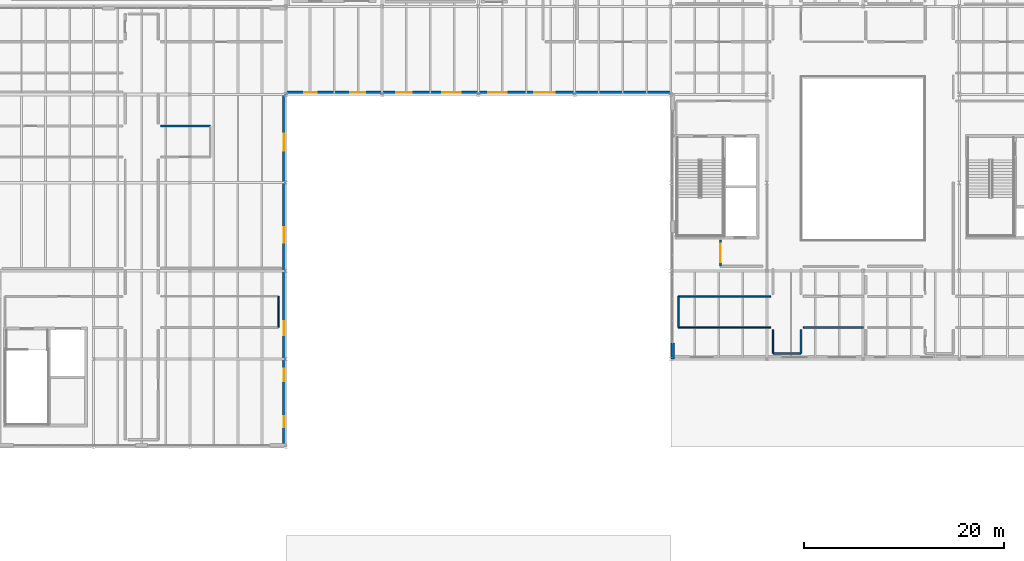
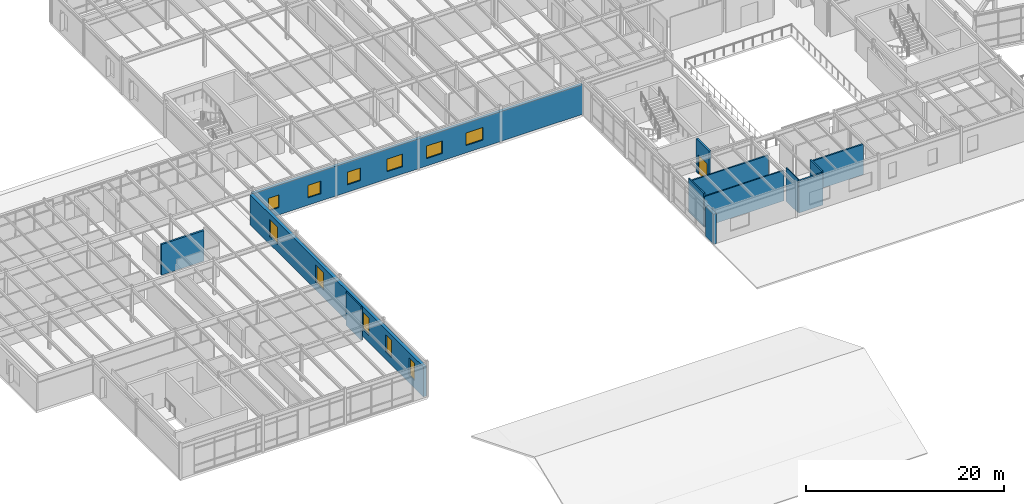
# One storey, part 50 of 69: 13 walls, 11 windows, 1 door, 12 openings.
"""IFC4 building model written with IfcOpenShell, lengths in metres."""

from ifc_helpers import new_model, si_unit, direction, frame, frame_2d, origin, place, context, subcontext, project, spatial, rectangle, extrude, material, layer, layer_set, type_object, element, fill, save


model = new_model("IFC4")

# Units and contexts
model_context = context("Model", 3, precision=1e-05, world=origin(), true_north=direction((0.0, 1.0)))
body_context = subcontext(model_context, "Body", "Model", "MODEL_VIEW")
ifc_project = project(units=[si_unit("LENGTHUNIT", "METRE"), si_unit("AREAUNIT", "SQUARE_METRE"), si_unit("VOLUMEUNIT", "CUBIC_METRE"), si_unit("PLANEANGLEUNIT", "RADIAN"), si_unit("MASSUNIT", "GRAM", prefix="KILO")], contexts=[model_context])

# Site, building, storey
site_placement = place(None, origin())
site = spatial("IfcSite", under=ifc_project, at=site_placement, CompositionType="ELEMENT")
building_placement = place(site_placement, origin())
building = spatial("IfcBuilding", under=site, at=building_placement, Name="Sarnbrook Museum", CompositionType="ELEMENT")
storey_placement = place(building_placement, frame((0.0, 0.0, 14.60009765625)))
storey = spatial("IfcBuildingStorey", under=building, at=storey_placement, Name="L03", CompositionType="ELEMENT", Elevation=14.60009765625)

# Walls
ifc_material_1 = material(Name="Fire-Rated Acoustic Gypsum Plasterboard")
ifc_layer_1 = layer(ifc_material_1, 0.1201171875)
ifc_layer_set_1 = layer_set([ifc_layer_1], Name="Fire-Rated Acoustic Gypsum Plasterboard")
wall_type_1 = type_object("IfcWallType", Name="PartWall_P120", PredefinedType="PARTITIONING", material=ifc_layer_set_1)
wall_1_placement = place(storey_placement, frame((91.0, 50.919921875, 0.0), z_axis=(0.0, 0.0, 1.0), x_axis=(0.0, -1.0, 0.0)))
element("IfcWall", 1, at=wall_1_placement, inside=storey, type_object=wall_type_1, Name="Interior Partition Wall L03-0622", PredefinedType="PARTITIONING", context=body_context, shape_type="SweptSolid", body=[
    extrude(rectangle(XDim=2.35986328125, YDim=0.1201171875, at=frame_2d((1.179931640625, 0.0))), origin(), (0.0, 0.0, 1.0), 4.1298828125),
])
ifc_layer_2 = layer(ifc_material_1, 0.135009765625)
ifc_layer_set_2 = layer_set([ifc_layer_2], Name="Fire-Rated Acoustic Gypsum Plasterboard")
wall_type_2 = type_object("IfcWallType", Name="PartWall_P135", PredefinedType="PARTITIONING", material=ifc_layer_set_2)
wall_2_placement = place(storey_placement, frame((81.56005859375, 51.14990234375, 0.0), z_axis=(0.0, 0.0, 1.0), x_axis=(1.0, 0.0, 0.0)))
element("IfcWall", 2, at=wall_2_placement, inside=storey, type_object=wall_type_2, Name="Interior Partition Wall L03-0621", PredefinedType="PARTITIONING", context=body_context, shape_type="SweptSolid", body=[
    extrude(rectangle(XDim=9.2099609375, YDim=0.135009765625, at=frame_2d((4.60498046875, 0.0))), origin(), (0.0, 0.0, 1.0), 3.742919921875),
])
wall_3_placement = place(storey_placement, frame((41.64990234375, 51.159912109375, 0.0), z_axis=(0.0, 0.0, 1.0), x_axis=(0.0, 1.0, 0.0)))
element("IfcWall", 3, at=wall_3_placement, inside=storey, type_object=wall_type_2, Name="Interior Partition Wall L03-0684", PredefinedType="PARTITIONING", context=body_context, shape_type="SweptSolid", body=[
    extrude(rectangle(XDim=3.080078125, YDim=0.135009765625, at=frame_2d((1.5400390625, 0.0))), origin(), (0.0, 0.0, 1.0), 4.1298828125),
])
ifc_layer_3 = layer(ifc_material_1, 0.14990234375)
ifc_layer_set_3 = layer_set([ifc_layer_3], Name="Fire-Rated Acoustic Gypsum Plasterboard")
wall_type_3 = type_object("IfcWallType", Name="PartWall_P150", PredefinedType="PARTITIONING", material=ifc_layer_set_3)
wall_4_placement = place(storey_placement, frame((81.550048828125, 54.239990234375, 0.0), z_axis=(0.0, 0.0, 1.0), x_axis=(0.0, -1.0, 0.0)))
element("IfcWall", 4, at=wall_4_placement, inside=storey, type_object=wall_type_3, Name="Interior Partition Wall L03-0620", PredefinedType="PARTITIONING", context=body_context, shape_type="SweptSolid", body=[
    extrude(rectangle(XDim=3.080078125, YDim=0.14990234375, at=frame_2d((1.5400390625, 0.0))), origin(), (0.0, 0.0, 1.0), 4.1298828125),
])
ifc_layer_4 = layer(ifc_material_1, 0.1650390625)
ifc_layer_set_4 = layer_set([ifc_layer_4], Name="Fire-Rated Acoustic Gypsum Plasterboard")
wall_type_4 = type_object("IfcWallType", Name="PartWall_P165", PredefinedType="PARTITIONING", material=ifc_layer_set_4)
wall_5_placement = place(storey_placement, frame((90.77001953125, 54.25, 0.0), z_axis=(0.0, 0.0, 1.0), x_axis=(-1.0, 0.0, 0.0)))
element("IfcWall", 5, at=wall_5_placement, inside=storey, type_object=wall_type_4, Name="Interior Partition Wall L03-0619", PredefinedType="PARTITIONING", context=body_context, shape_type="SweptSolid", body=[
    extrude(rectangle(XDim=9.2099609375, YDim=0.1650390625, at=frame_2d((4.60498046875, 0.0))), origin(), (0.0, 0.0, 1.0), 3.742919921875),
])
ifc_layer_5 = layer(ifc_material_1, 0.179931640625)
ifc_layer_set_5 = layer_set([ifc_layer_5], Name="Fire-Rated Acoustic Gypsum Plasterboard")
wall_type_5 = type_object("IfcWallType", Name="PartWall_P180", PredefinedType="PARTITIONING", material=ifc_layer_set_5)
wall_6_placement = place(storey_placement, frame((94.030029296875, 51.14990234375, 0.0), z_axis=(0.0, 0.0, 1.0), x_axis=(1.0, 0.0, 0.0)))
element("IfcWall", 6, at=wall_6_placement, inside=storey, type_object=wall_type_5, Name="Interior Partition Wall L03-0625", PredefinedType="PARTITIONING", context=body_context, shape_type="SweptSolid", body=[
    extrude(rectangle(XDim=6.0, YDim=0.179931640625, at=frame_2d((3.0, 0.0))), origin(), (0.0, 0.0, 1.0), 3.742919921875),
])
ifc_layer_6 = layer(ifc_material_1, 0.195068359375)
ifc_layer_set_6 = layer_set([ifc_layer_6], Name="Fire-Rated Acoustic Gypsum Plasterboard")
wall_type_6 = type_object("IfcWallType", Name="PartWall_P195", PredefinedType="PARTITIONING", material=ifc_layer_set_6)
wall_7_placement = place(storey_placement, frame((93.800048828125, 48.56005859375, 0.0), z_axis=(0.0, 0.0, 1.0), x_axis=(0.0, 1.0, 0.0)))
element("IfcWall", 7, at=wall_7_placement, inside=storey, type_object=wall_type_6, Name="Interior Partition Wall L03-0624", PredefinedType="PARTITIONING", context=body_context, shape_type="SweptSolid", body=[
    extrude(rectangle(XDim=2.35986328125, YDim=0.195068359375, at=frame_2d((1.179931640625, 0.0))), origin(), (0.0, 0.0, 1.0), 4.1298828125),
])

# Wall, opening, door
ifc_layer_7 = layer(ifc_material_1, 0.2099609375)
ifc_layer_set_7 = layer_set([ifc_layer_7], Name="Fire-Rated Acoustic Gypsum Plasterboard")
wall_type_7 = type_object("IfcWallType", Name="PartWall_P210", PredefinedType="PARTITIONING", material=ifc_layer_set_7)
wall_8_placement = place(storey_placement, frame((85.75, 59.8798828125, 0.0), z_axis=(0.0, 0.0, 1.0), x_axis=(0.0, -1.0, 0.0)))
wall_8 = element("IfcWall", 8, at=wall_8_placement, inside=storey, type_object=wall_type_7, Name="Interior Partition Wall L03-0616", PredefinedType="PARTITIONING", context=body_context, shape_type="SweptSolid", body=[
    extrude(rectangle(XDim=2.619873046875, YDim=0.2099609375, at=frame_2d((1.31005859375, 0.0))), origin(), (0.0, 0.0, 1.0), 4.1298828125),
])
opening_1_placement = place(wall_8_placement, frame((0.39990234375, 0.0, 0.0)))
opening_1 = element("IfcOpeningElement", 9, at=opening_1_placement, cuts=wall_8, Name="Opening D-L03-179", PredefinedType="OPENING", context=body_context, shape_type="SweptSolid", body=[
    extrude(rectangle(XDim=1.820068359375, YDim=2.340087890625, at=frame_2d((0.91015625, 1.169921875))), frame((0.0, 0.114990234375, 0.0), z_axis=(0.0, -1.0, 0.0), x_axis=(1.0, 0.0, 0.0)), (0.0, 0.0, 1.0), 0.22998046875),
])
ifc_material_2 = material(Name="Tasmanian Oak Acoustic Timber", Category="wood")
door_type = type_object("IfcDoorType", Name="IntDoor_DT27", OperationType="NOTDEFINED", PredefinedType="DOOR", material=ifc_material_2)
door_placement = place(opening_1_placement, origin())
door = element("IfcDoor", 10, at=door_placement, inside=storey, type_object=door_type, Name="Collection Digitisation Studio L03-6 Door D-L03-179", OperationType="DOUBLE_DOOR_SINGLE_SWING", OverallHeight=2.340087890625, OverallWidth=1.820068359375, PredefinedType="DOOR", context=body_context, shape_type="SweptSolid", body=[
    extrude(rectangle(XDim=1.820068359375, YDim=2.340087890625, at=frame_2d((0.91015625, 1.169921875))), frame((0.0, 0.02490234375, 0.0), z_axis=(0.0, -1.0, 0.0), x_axis=(1.0, 0.0, 0.0)), (0.0, 0.0, 1.0), 0.050048828125),
])
fill(opening_1, door)

# Walls
wall_9_placement = place(storey_placement, frame((91.010009765625, 48.550048828125, 0.0), z_axis=(0.0, 0.0, 1.0), x_axis=(1.0, 0.0, 0.0)))
element("IfcWall", 11, at=wall_9_placement, inside=storey, type_object=wall_type_7, Name="Interior Partition Wall L03-0623", PredefinedType="PARTITIONING", context=body_context, shape_type="SweptSolid", body=[
    extrude(rectangle(XDim=2.780029296875, YDim=0.2099609375, at=frame_2d((1.39013671875, 0.0))), origin(), (0.0, 0.0, 1.0), 3.94384765625),
])
wall_10_placement = place(storey_placement, frame((34.840087890625, 71.25, 0.0), z_axis=(0.0, 0.0, 1.0), x_axis=(-1.0, 0.0, 0.0)))
element("IfcWall", 12, at=wall_10_placement, inside=storey, type_object=wall_type_7, Name="Interior Partition Wall L03-0693", PredefinedType="PARTITIONING", context=body_context, shape_type="SweptSolid", body=[
    extrude(rectangle(XDim=4.960205078125, YDim=0.2099609375, at=frame_2d((2.47998046875, 0.0))), origin(), (0.0, 0.0, 1.0), 3.762939453125),
])

# Wall, openings, windows
ifc_material_3 = material(Name="Barrabool Sandstone Ashlar Cladding", Category="masonry")
ifc_layer_8 = layer(ifc_material_3, 0.360107421875)
ifc_layer_set_8 = layer_set([ifc_layer_8], Name="Barrabool Sandstone Ashlar Cladding")
wall_type_8 = type_object("IfcWallType", Name="Wall_SandstoneExt360", PredefinedType="SOLIDWALL", material=ifc_layer_set_8)
wall_11_placement = place(storey_placement, frame((42.39990234375, 74.580078125, 0.0), z_axis=(0.0, 0.0, 1.0), x_axis=(1.0, 0.0, 0.0)))
wall_11 = element("IfcWall", 13, at=wall_11_placement, inside=storey, type_object=wall_type_8, Name="Classical Sandstone Facade Wall L03-01", PredefinedType="SOLIDWALL", context=body_context, shape_type="SweptSolid", body=[
    extrude(rectangle(XDim=38.400146484375, YDim=0.360107421875, at=frame_2d((19.2001953125, 0.0))), origin(), (0.0, 0.0, 1.0), 3.661865234375),
])
opening_2_placement = place(wall_11_placement, frame((1.800048828125, 0.0, 0.89990234375)))
opening_2 = element("IfcOpeningElement", 14, at=opening_2_placement, cuts=wall_11, Name="Opening WT-03", PredefinedType="OPENING", context=body_context, shape_type="SweptSolid", body=[
    extrude(rectangle(XDim=1.25, YDim=1.550048828125, at=frame_2d((0.625, 0.77490234375))), frame((0.0, 0.18994140625, 0.0), z_axis=(0.0, -1.0, 0.0), x_axis=(1.0, 0.0, 0.0)), (0.0, 0.0, 1.0), 0.380126953125),
])
opening_3_placement = place(wall_11_placement, frame((6.39990234375, 0.0, 0.89990234375)))
opening_3 = element("IfcOpeningElement", 15, at=opening_3_placement, cuts=wall_11, Name="Opening WT-04", PredefinedType="OPENING", context=body_context, shape_type="SweptSolid", body=[
    extrude(rectangle(XDim=1.52001953125, YDim=1.550048828125, at=frame_2d((0.760009765625, 0.77490234375))), frame((0.0, 0.18994140625, 0.0), z_axis=(0.0, -1.0, 0.0), x_axis=(1.0, 0.0, 0.0)), (0.0, 0.0, 1.0), 0.380126953125),
])
opening_4_placement = place(wall_11_placement, frame((11.0, 0.0, 0.89990234375)))
opening_4 = element("IfcOpeningElement", 16, at=opening_4_placement, cuts=wall_11, Name="Opening WT-05", PredefinedType="OPENING", context=body_context, shape_type="SweptSolid", body=[
    extrude(rectangle(XDim=1.550048828125, YDim=1.550048828125, at=frame_2d((0.77490234375, 0.77490234375))), frame((0.0, 0.18994140625, 0.0), z_axis=(0.0, -1.0, 0.0), x_axis=(1.0, 0.0, 0.0)), (0.0, 0.0, 1.0), 0.380126953125),
])
opening_5_placement = place(wall_11_placement, frame((15.60009765625, 0.0, 0.89990234375)))
opening_5 = element("IfcOpeningElement", 17, at=opening_5_placement, cuts=wall_11, Name="Opening WT-06", PredefinedType="OPENING", context=body_context, shape_type="SweptSolid", body=[
    extrude(rectangle(XDim=1.820068359375, YDim=1.550048828125, at=frame_2d((0.91015625, 0.77490234375))), frame((0.0, 0.18994140625, 0.0), z_axis=(0.0, -1.0, 0.0), x_axis=(1.0, 0.0, 0.0)), (0.0, 0.0, 1.0), 0.380126953125),
])
opening_6_placement = place(wall_11_placement, frame((20.199951171875, 0.0, 0.89990234375)))
opening_6 = element("IfcOpeningElement", 18, at=opening_6_placement, cuts=wall_11, Name="Opening WT-07", PredefinedType="OPENING", context=body_context, shape_type="SweptSolid", body=[
    extrude(rectangle(XDim=1.85009765625, YDim=1.550048828125, at=frame_2d((0.925048828125, 0.77490234375))), frame((0.0, 0.18994140625, 0.0), z_axis=(0.0, -1.0, 0.0), x_axis=(1.0, 0.0, 0.0)), (0.0, 0.0, 1.0), 0.380126953125),
])
opening_7_placement = place(wall_11_placement, frame((24.800048828125, 0.0, 0.89990234375)))
opening_7 = element("IfcOpeningElement", 19, at=opening_7_placement, cuts=wall_11, Name="Opening WT-08", PredefinedType="OPENING", context=body_context, shape_type="SweptSolid", body=[
    extrude(rectangle(XDim=2.0, YDim=1.550048828125, at=frame_2d((1.0, 0.77490234375))), frame((0.0, 0.18994140625, 0.0), z_axis=(0.0, -1.0, 0.0), x_axis=(1.0, 0.0, 0.0)), (0.0, 0.0, 1.0), 0.380126953125),
])
ifc_material_4 = material(Name="Double-Glazed Low-Iron Laminated Safety Glass", Category="glass")
window_type_1 = type_object("IfcWindowType", Name="Window_Classical_WT03", PartitioningType="SINGLE_PANEL", PredefinedType="WINDOW", material=ifc_material_4)
window_1_placement = place(opening_2_placement, origin())
window_1 = element("IfcWindow", 20, at=window_1_placement, inside=storey, type_object=window_type_1, Name="Classical Bronze Casement Window WIN:L03:0091", OverallHeight=1.550048828125, OverallWidth=1.25, PartitioningType="SINGLE_PANEL", PredefinedType="WINDOW", context=body_context, shape_type="SweptSolid", body=[
    extrude(rectangle(XDim=1.25, YDim=1.550048828125, at=frame_2d((0.625, 0.77490234375))), frame((0.0, 0.030029296875, 0.0), z_axis=(0.0, -1.0, 0.0), x_axis=(1.0, 0.0, 0.0)), (0.0, 0.0, 1.0), 0.06005859375),
])
fill(opening_2, window_1)
window_type_2 = type_object("IfcWindowType", Name="Window_Classical_WT04", PartitioningType="SINGLE_PANEL", PredefinedType="WINDOW", material=ifc_material_4)
window_2_placement = place(opening_3_placement, origin())
window_2 = element("IfcWindow", 21, at=window_2_placement, inside=storey, type_object=window_type_2, Name="Classical Bronze Casement Window WIN:L03:0092", OverallHeight=1.550048828125, OverallWidth=1.52001953125, PartitioningType="SINGLE_PANEL", PredefinedType="WINDOW", context=body_context, shape_type="SweptSolid", body=[
    extrude(rectangle(XDim=1.52001953125, YDim=1.550048828125, at=frame_2d((0.760009765625, 0.77490234375))), frame((0.0, 0.030029296875, 0.0), z_axis=(0.0, -1.0, 0.0), x_axis=(1.0, 0.0, 0.0)), (0.0, 0.0, 1.0), 0.06005859375),
])
fill(opening_3, window_2)
window_type_3 = type_object("IfcWindowType", Name="Window_Classical_WT05", PartitioningType="SINGLE_PANEL", PredefinedType="WINDOW", material=ifc_material_4)
window_3_placement = place(opening_4_placement, origin())
window_3 = element("IfcWindow", 22, at=window_3_placement, inside=storey, type_object=window_type_3, Name="Classical Bronze Casement Window WIN:L03:0093", OverallHeight=1.550048828125, OverallWidth=1.550048828125, PartitioningType="SINGLE_PANEL", PredefinedType="WINDOW", context=body_context, shape_type="SweptSolid", body=[
    extrude(rectangle(XDim=1.550048828125, YDim=1.550048828125, at=frame_2d((0.77490234375, 0.77490234375))), frame((0.0, 0.030029296875, 0.0), z_axis=(0.0, -1.0, 0.0), x_axis=(1.0, 0.0, 0.0)), (0.0, 0.0, 1.0), 0.06005859375),
])
fill(opening_4, window_3)
window_type_4 = type_object("IfcWindowType", Name="Window_Classical_WT06", PartitioningType="SINGLE_PANEL", PredefinedType="WINDOW", material=ifc_material_4)
window_4_placement = place(opening_5_placement, origin())
window_4 = element("IfcWindow", 23, at=window_4_placement, inside=storey, type_object=window_type_4, Name="Classical Bronze Casement Window WIN:L03:0094", OverallHeight=1.550048828125, OverallWidth=1.820068359375, PartitioningType="SINGLE_PANEL", PredefinedType="WINDOW", context=body_context, shape_type="SweptSolid", body=[
    extrude(rectangle(XDim=1.820068359375, YDim=1.550048828125, at=frame_2d((0.91015625, 0.77490234375))), frame((0.0, 0.030029296875, 0.0), z_axis=(0.0, -1.0, 0.0), x_axis=(1.0, 0.0, 0.0)), (0.0, 0.0, 1.0), 0.06005859375),
])
fill(opening_5, window_4)
window_type_5 = type_object("IfcWindowType", Name="Window_Classical_WT07", PartitioningType="SINGLE_PANEL", PredefinedType="WINDOW", material=ifc_material_4)
window_5_placement = place(opening_6_placement, origin())
window_5 = element("IfcWindow", 24, at=window_5_placement, inside=storey, type_object=window_type_5, Name="Classical Bronze Casement Window WIN:L03:0095", OverallHeight=1.550048828125, OverallWidth=1.85009765625, PartitioningType="SINGLE_PANEL", PredefinedType="WINDOW", context=body_context, shape_type="SweptSolid", body=[
    extrude(rectangle(XDim=1.85009765625, YDim=1.550048828125, at=frame_2d((0.925048828125, 0.77490234375))), frame((0.0, 0.030029296875, 0.0), z_axis=(0.0, -1.0, 0.0), x_axis=(1.0, 0.0, 0.0)), (0.0, 0.0, 1.0), 0.06005859375),
])
fill(opening_6, window_5)
window_type_6 = type_object("IfcWindowType", Name="Window_Classical_WT08", PartitioningType="SINGLE_PANEL", PredefinedType="WINDOW", material=ifc_material_4)
window_6_placement = place(opening_7_placement, origin())
window_6 = element("IfcWindow", 25, at=window_6_placement, inside=storey, type_object=window_type_6, Name="Classical Bronze Casement Window WIN:L03:0096", OverallHeight=1.550048828125, OverallWidth=2.0, PartitioningType="SINGLE_PANEL", PredefinedType="WINDOW", context=body_context, shape_type="SweptSolid", body=[
    extrude(rectangle(XDim=2.0, YDim=1.550048828125, at=frame_2d((1.0, 0.77490234375))), frame((0.0, 0.030029296875, 0.0), z_axis=(0.0, -1.0, 0.0), x_axis=(1.0, 0.0, 0.0)), (0.0, 0.0, 1.0), 0.06005859375),
])
fill(opening_7, window_6)

# Wall
wall_12_placement = place(storey_placement, frame((80.97998046875, 49.60009765625, 0.0), z_axis=(0.0, 0.0, 1.0), x_axis=(0.0, -1.0, 0.0)))
element("IfcWall", 26, at=wall_12_placement, inside=storey, type_object=wall_type_8, Name="Classical Sandstone Facade Pier L03-2.3", PredefinedType="SOLIDWALL", context=body_context, shape_type="SweptSolid", body=[
    extrude(rectangle(XDim=1.60009765625, YDim=0.360107421875, at=frame_2d((0.800048828125, 0.0))), origin(), (0.0, 0.0, 1.0), 3.681884765625),
])

# Wall, openings, windows
wall_13_placement = place(storey_placement, frame((42.219970703125, 39.385986328125, 0.0), z_axis=(0.0, 0.0, 1.0), x_axis=(0.0, 1.0, 0.0)))
wall_13 = element("IfcWall", 27, at=wall_13_placement, inside=storey, type_object=wall_type_8, Name="Classical Sandstone Facade Wall L03-15", PredefinedType="SOLIDWALL", context=body_context, shape_type="SweptSolid", body=[
    extrude(rectangle(XDim=35.013916015625, YDim=0.360107421875, at=frame_2d((17.5068359375, 0.0))), origin(), (0.0, 0.0, 1.0), 3.701904296875),
])
opening_8_placement = place(wall_13_placement, frame((1.800048828125, 0.0, 0.89990234375)))
opening_8 = element("IfcOpeningElement", 28, at=opening_8_placement, cuts=wall_13, Name="Opening WT-24", PredefinedType="OPENING", context=body_context, shape_type="SweptSolid", body=[
    extrude(rectangle(XDim=1.10009765625, YDim=2.14990234375, at=frame_2d((0.550048828125, 1.074951171875))), frame((0.0, 0.18994140625, 0.0), z_axis=(0.0, -1.0, 0.0), x_axis=(1.0, 0.0, 0.0)), (0.0, 0.0, 1.0), 0.380126953125),
])
opening_9_placement = place(wall_13_placement, frame((6.39990234375, 0.0, 0.89990234375)))
opening_9 = element("IfcOpeningElement", 29, at=opening_9_placement, cuts=wall_13, Name="Opening WT-25", PredefinedType="OPENING", context=body_context, shape_type="SweptSolid", body=[
    extrude(rectangle(XDim=1.25, YDim=2.14990234375, at=frame_2d((0.625, 1.074951171875))), frame((0.0, 0.18994140625, 0.0), z_axis=(0.0, -1.0, 0.0), x_axis=(1.0, 0.0, 0.0)), (0.0, 0.0, 1.0), 0.380126953125),
])
opening_10_placement = place(wall_13_placement, frame((11.0, 0.0, 0.89990234375)))
opening_10 = element("IfcOpeningElement", 30, at=opening_10_placement, cuts=wall_13, Name="Opening WT-26", PredefinedType="OPENING", context=body_context, shape_type="SweptSolid", body=[
    extrude(rectangle(XDim=1.39990234375, YDim=2.14990234375, at=frame_2d((0.699951171875, 1.074951171875))), frame((0.0, 0.18994140625, 0.0), z_axis=(0.0, -1.0, 0.0), x_axis=(1.0, 0.0, 0.0)), (0.0, 0.0, 1.0), 0.380126953125),
])
opening_11_placement = place(wall_13_placement, frame((20.199951171875, 0.0, 0.89990234375)))
opening_11 = element("IfcOpeningElement", 31, at=opening_11_placement, cuts=wall_13, Name="Opening WT-27", PredefinedType="OPENING", context=body_context, shape_type="SweptSolid", body=[
    extrude(rectangle(XDim=1.550048828125, YDim=2.14990234375, at=frame_2d((0.77490234375, 1.074951171875))), frame((0.0, 0.18994140625, 0.0), z_axis=(0.0, -1.0, 0.0), x_axis=(1.0, 0.0, 0.0)), (0.0, 0.0, 1.0), 0.380126953125),
])
opening_12_placement = place(wall_13_placement, frame((29.39990234375, 0.0, 0.89990234375)))
opening_12 = element("IfcOpeningElement", 32, at=opening_12_placement, cuts=wall_13, Name="Opening WT-28", PredefinedType="OPENING", context=body_context, shape_type="SweptSolid", body=[
    extrude(rectangle(XDim=1.699951171875, YDim=2.14990234375, at=frame_2d((0.85009765625, 1.074951171875))), frame((0.0, 0.18994140625, 0.0), z_axis=(0.0, -1.0, 0.0), x_axis=(1.0, 0.0, 0.0)), (0.0, 0.0, 1.0), 0.380126953125),
])
window_type_7 = type_object("IfcWindowType", Name="Window_Classical_WT24", PartitioningType="SINGLE_PANEL", PredefinedType="WINDOW", material=ifc_material_4)
window_7_placement = place(opening_8_placement, origin())
window_7 = element("IfcWindow", 33, at=window_7_placement, inside=storey, type_object=window_type_7, Name="Classical Bronze Casement Window WIN:L03:0112", OverallHeight=2.14990234375, OverallWidth=1.10009765625, PartitioningType="SINGLE_PANEL", PredefinedType="WINDOW", context=body_context, shape_type="SweptSolid", body=[
    extrude(rectangle(XDim=1.10009765625, YDim=2.14990234375, at=frame_2d((0.550048828125, 1.074951171875))), frame((0.0, 0.030029296875, 0.0), z_axis=(0.0, -1.0, 0.0), x_axis=(1.0, 0.0, 0.0)), (0.0, 0.0, 1.0), 0.06005859375),
])
fill(opening_8, window_7)
window_type_8 = type_object("IfcWindowType", Name="Window_Classical_WT25", PartitioningType="SINGLE_PANEL", PredefinedType="WINDOW", material=ifc_material_4)
window_8_placement = place(opening_9_placement, origin())
window_8 = element("IfcWindow", 34, at=window_8_placement, inside=storey, type_object=window_type_8, Name="Classical Bronze Casement Window WIN:L03:0113", OverallHeight=2.14990234375, OverallWidth=1.25, PartitioningType="SINGLE_PANEL", PredefinedType="WINDOW", context=body_context, shape_type="SweptSolid", body=[
    extrude(rectangle(XDim=1.25, YDim=2.14990234375, at=frame_2d((0.625, 1.074951171875))), frame((0.0, 0.030029296875, 0.0), z_axis=(0.0, -1.0, 0.0), x_axis=(1.0, 0.0, 0.0)), (0.0, 0.0, 1.0), 0.06005859375),
])
fill(opening_9, window_8)
window_type_9 = type_object("IfcWindowType", Name="Window_Classical_WT26", PartitioningType="SINGLE_PANEL", PredefinedType="WINDOW", material=ifc_material_4)
window_9_placement = place(opening_10_placement, origin())
window_9 = element("IfcWindow", 35, at=window_9_placement, inside=storey, type_object=window_type_9, Name="Classical Bronze Casement Window WIN:L03:0114", OverallHeight=2.14990234375, OverallWidth=1.39990234375, PartitioningType="SINGLE_PANEL", PredefinedType="WINDOW", context=body_context, shape_type="SweptSolid", body=[
    extrude(rectangle(XDim=1.39990234375, YDim=2.14990234375, at=frame_2d((0.699951171875, 1.074951171875))), frame((0.0, 0.030029296875, 0.0), z_axis=(0.0, -1.0, 0.0), x_axis=(1.0, 0.0, 0.0)), (0.0, 0.0, 1.0), 0.06005859375),
])
fill(opening_10, window_9)
window_type_10 = type_object("IfcWindowType", Name="Window_Classical_WT27", PartitioningType="SINGLE_PANEL", PredefinedType="WINDOW", material=ifc_material_4)
window_10_placement = place(opening_11_placement, origin())
window_10 = element("IfcWindow", 36, at=window_10_placement, inside=storey, type_object=window_type_10, Name="Classical Bronze Casement Window WIN:L03:0115", OverallHeight=2.14990234375, OverallWidth=1.550048828125, PartitioningType="SINGLE_PANEL", PredefinedType="WINDOW", context=body_context, shape_type="SweptSolid", body=[
    extrude(rectangle(XDim=1.550048828125, YDim=2.14990234375, at=frame_2d((0.77490234375, 1.074951171875))), frame((0.0, 0.030029296875, 0.0), z_axis=(0.0, -1.0, 0.0), x_axis=(1.0, 0.0, 0.0)), (0.0, 0.0, 1.0), 0.06005859375),
])
fill(opening_11, window_10)
window_type_11 = type_object("IfcWindowType", Name="Window_Classical_WT28", PartitioningType="SINGLE_PANEL", PredefinedType="WINDOW", material=ifc_material_4)
window_11_placement = place(opening_12_placement, origin())
window_11 = element("IfcWindow", 37, at=window_11_placement, inside=storey, type_object=window_type_11, Name="Classical Bronze Casement Window WIN:L03:0116", OverallHeight=2.14990234375, OverallWidth=1.699951171875, PartitioningType="SINGLE_PANEL", PredefinedType="WINDOW", context=body_context, shape_type="SweptSolid", body=[
    extrude(rectangle(XDim=1.699951171875, YDim=2.14990234375, at=frame_2d((0.85009765625, 1.074951171875))), frame((0.0, 0.030029296875, 0.0), z_axis=(0.0, -1.0, 0.0), x_axis=(1.0, 0.0, 0.0)), (0.0, 0.0, 1.0), 0.06005859375),
])
fill(opening_12, window_11)

save(model, "model.ifc")
